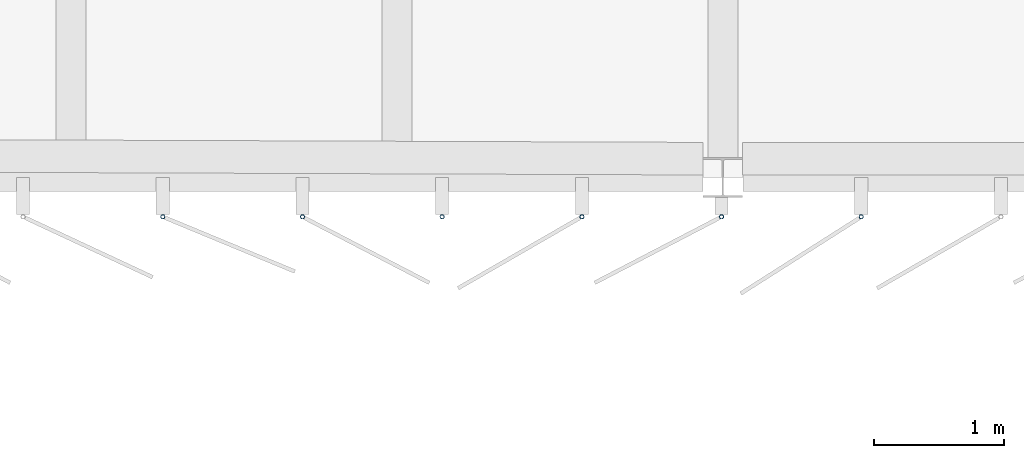
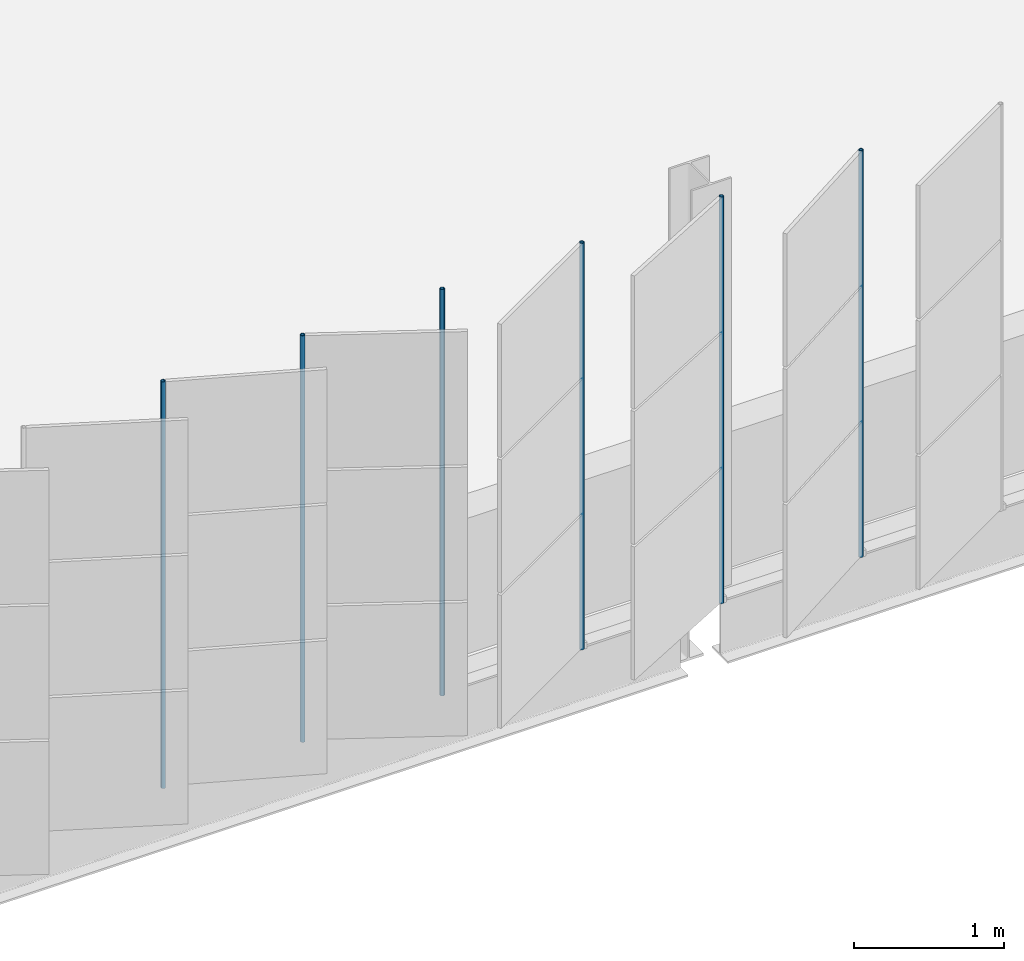
# One storey, part 82 of 199: 6 discrete accessories.
"""IFC4 building model written with IfcOpenShell, lengths in metres."""

import ifcopenshell
import ifcopenshell.guid

model = None  # the IFC model being written
_history = None  # IfcOwnerHistory: only IFC2X3 demands one
_inside = {}  # id of a spatial element -> (the spatial element, [elements in it])
_under = {}  # id of a project, library or spatial element -> (it, [spatial elements below it])
_declared = {}  # id of a project -> (the project, [libraries it declares])
_typed = {}  # id of a type object -> (the type object, [elements of that type])
_made_of = {}  # id of a material, layer set ... -> (it, [elements and type objects made of it])


def new_model(schema):
    """Start an empty IFC model of exactly this schema.

    Asked for "IFC4X3", IfcOpenShell would pick the latest addendum, in which some entities
    have other attributes; the version numbers below select the first issue.
    IFC2X3 requires an IfcOwnerHistory on every rooted entity: one is made here for all.
    """
    global model, _history
    if schema == "IFC4X3":
        model = ifcopenshell.file(schema_version=(4, 3, 0, 0))
    else:
        model = ifcopenshell.file(schema=schema)
    _inside.clear()
    _under.clear()
    _declared.clear()
    _typed.clear()
    _made_of.clear()
    _history = None
    if model.schema == "IFC2X3":
        org = make("IfcOrganization", Name="unknown")
        user = make(
            "IfcPersonAndOrganization",
            ThePerson=make("IfcPerson", FamilyName="unknown"),
            TheOrganization=org,
        )
        app = make(
            "IfcApplication",
            ApplicationDeveloper=org,
            Version="unknown",
            ApplicationFullName="unknown",
            ApplicationIdentifier="unknown",
        )
        _history = make(
            "IfcOwnerHistory",
            OwningUser=user,
            OwningApplication=app,
            ChangeAction="ADDED",
            CreationDate=0,
        )
    return model


def make(cls, **values):
    """One entity of the class cls with the attributes given. An attribute that is None is left unset."""
    return model.create_entity(
        cls, **{name: value for name, value in values.items() if value is not None}
    )


def rooted(cls, **values):
    """An entity with a GlobalId (a new one), such as an element, a storey or a relation."""
    return make(cls, GlobalId=ifcopenshell.guid.new(), OwnerHistory=_history, **values)


def si_unit(unit_type, name, prefix=None):
    """IfcSIUnit, for example si_unit("LENGTHUNIT", "METRE", prefix="MILLI")."""
    return make("IfcSIUnit", UnitType=unit_type, Prefix=prefix, Name=name)


def assignment(units):
    """IfcUnitAssignment: the units of a project."""
    return None if units is None else make("IfcUnitAssignment", Units=units)


def point(xyz):
    """IfcCartesianPoint."""
    return None if xyz is None else make("IfcCartesianPoint", Coordinates=xyz)


def direction(xyz):
    """IfcDirection."""
    return None if xyz is None else make("IfcDirection", DirectionRatios=xyz)


def frame(location, z_axis=None, x_axis=None):
    """IfcAxis2Placement3D, a coordinate frame: its origin and axes. An axis left out is left unset."""
    return make(
        "IfcAxis2Placement3D",
        Location=point(location),
        Axis=direction(z_axis),
        RefDirection=direction(x_axis),
    )


def frame_2d(location, x_axis=None):
    """IfcAxis2Placement2D, a coordinate frame in the plane: its origin and x axis."""
    return make(
        "IfcAxis2Placement2D", Location=point(location), RefDirection=direction(x_axis)
    )


def origin():
    """The frame at (0, 0, 0) with its axes left unset."""
    return frame((0.0, 0.0, 0.0))


def origin_2d():
    """The frame at (0, 0) in the plane with its x axis left unset."""
    return frame_2d((0.0, 0.0))


def place(relative_to, where):
    """IfcLocalPlacement: puts the frame where relative to a parent placement (None: the world)."""
    return make(
        "IfcLocalPlacement", PlacementRelTo=relative_to, RelativePlacement=where
    )


def context(
    kind, dimensions, precision=None, world=None, true_north=None, identifier=None
):
    """IfcGeometricRepresentationContext, for example the 3D "Model" context."""
    return make(
        "IfcGeometricRepresentationContext",
        ContextIdentifier=identifier,
        ContextType=kind,
        CoordinateSpaceDimension=dimensions,
        Precision=precision,
        WorldCoordinateSystem=world,
        TrueNorth=true_north,
    )


def subcontext(parent, identifier, kind, view, scale=None):
    """IfcGeometricRepresentationSubContext, for example "Body" below "Model"."""
    return make(
        "IfcGeometricRepresentationSubContext",
        ContextIdentifier=identifier,
        ContextType=kind,
        ParentContext=parent,
        TargetScale=scale,
        TargetView=view,
    )


def project(units=None, contexts=None):
    """IfcProject with its units and contexts."""
    return rooted(
        "IfcProject",
        Name="project",
        RepresentationContexts=contexts,
        UnitsInContext=assignment(units),
    )


def spatial(cls, under=None, at=None, **own):
    """A site, building, storey or space (cls), placed at a placement, below another one or the project."""
    s = rooted(cls, ObjectPlacement=at, **own)
    if under is not None:
        _under.setdefault(under.id(), (under, []))[1].append(s)
    return s


def profile(cls, at=None, kind="AREA", **sizes):
    """A parametric profile (cls). Its sizes go by their IFC names, for example OverallWidth=200.0."""
    return make(cls, ProfileType=kind, Position=at, **sizes)


def hollow_circle(**sizes):
    """IfcCircleHollowProfileDef."""
    return profile("IfcCircleHollowProfileDef", **sizes)


def extrude(swept, where, along, depth):
    """IfcExtrudedAreaSolid: the profile swept, set in the frame where, extruded along a direction by depth."""
    return make(
        "IfcExtrudedAreaSolid",
        SweptArea=swept,
        Position=where,
        ExtrudedDirection=direction(along),
        Depth=depth,
    )


def shape(context_of_items, identifier, shape_type, items):
    """IfcShapeRepresentation: the items that make up one representation, for example the "Body"."""
    return make(
        "IfcShapeRepresentation",
        ContextOfItems=context_of_items,
        RepresentationIdentifier=identifier,
        RepresentationType=shape_type,
        Items=items,
    )


def material(Name=None, Category=None):
    """IfcMaterial."""
    return make("IfcMaterial", Name=Name, Category=Category)


def material_profile(
    of_material, cross_section, Name=None, Category=None, Priority=None
):
    """IfcMaterialProfile: a cross section and its material."""
    return make(
        "IfcMaterialProfile",
        Name=Name,
        Material=of_material,
        Profile=cross_section,
        Priority=Priority,
        Category=Category,
    )


def profile_set(profiles, Name=None, composite=None):
    """IfcMaterialProfileSet."""
    return make(
        "IfcMaterialProfileSet",
        Name=Name,
        MaterialProfiles=profiles,
        CompositeProfile=composite,
    )


def made_of(thing, what):
    """Note that an element or type object is made of a material, layer set ...; save() writes the relation."""
    if what is not None:
        _made_of.setdefault(what.id(), (what, []))[1].append(thing)
    return thing


def type_object(cls, material=None, **own):
    """A type object (cls), such as IfcWallType, which elements share."""
    return made_of(rooted(cls, **own), material)


def element(
    cls,
    number,
    at=None,
    inside=None,
    cuts=None,
    type_object=None,
    material=None,
    context=None,
    identifier="Body",
    shape_type=None,
    held_by="IfcProductDefinitionShape",
    body=None,
    shapes=None,
    **own,
):
    """One element of the class cls, such as IfcWall. Its Tag is "e" and its number.

    at: its placement. inside: the storey or other place that contains it. cuts: it is an
    opening in that element (IfcRelVoidsElement). A single representation is given by context,
    identifier, shape_type and body (its items); several are given by shapes. held_by: the class
    of the entity that holds the representations. save() writes the other relations.
    """
    e = rooted(cls, Tag="e%d" % number, ObjectPlacement=at, **own)
    if body is not None:
        shapes = [shape(context, identifier, shape_type, body)]
    if shapes is not None:
        e.Representation = make(held_by, Representations=shapes)
    if inside is not None:
        _inside.setdefault(inside.id(), (inside, []))[1].append(e)
    if cuts is not None:
        rooted(
            "IfcRelVoidsElement", RelatingBuildingElement=cuts, RelatedOpeningElement=e
        )
    if type_object is not None:
        _typed.setdefault(type_object.id(), (type_object, []))[1].append(e)
    return made_of(e, material)


def aggregate(whole, parts):
    """IfcRelAggregates: a whole, such as a stair, and the parts it consists of."""
    return rooted("IfcRelAggregates", RelatingObject=whole, RelatedObjects=parts)


def save(model, path):
    """Write the relations noted so far, then the file.

    IfcRelAggregates (storeys below a building ...), IfcRelContainedInSpatialStructure (elements
    in a storey), IfcRelDefinesByType, IfcRelAssociatesMaterial and IfcRelDeclares: one each for
    every whole, place, type object, material and project.
    """
    for whole, parts in _under.values():
        aggregate(whole, parts)
    for where, things in _inside.values():
        rooted(
            "IfcRelContainedInSpatialStructure",
            RelatedElements=things,
            RelatingStructure=where,
        )
    for kind, things in _typed.values():
        rooted("IfcRelDefinesByType", RelatedObjects=things, RelatingType=kind)
    for what, things in _made_of.values():
        rooted("IfcRelAssociatesMaterial", RelatedObjects=things, RelatingMaterial=what)
    for by, libraries in _declared.values():
        rooted("IfcRelDeclares", RelatingContext=by, RelatedDefinitions=libraries)
    model.write(path)


model = new_model("IFC4")

# Units and contexts
model_context = context("Model", 3, precision=1e-05, world=origin(), true_north=direction((0.0, 1.0)))
body_context = subcontext(model_context, "Body", "Model", "MODEL_VIEW")
ifc_project = project(units=[si_unit("LENGTHUNIT", "METRE"), si_unit("AREAUNIT", "SQUARE_METRE"), si_unit("VOLUMEUNIT", "CUBIC_METRE"), si_unit("PLANEANGLEUNIT", "RADIAN"), si_unit("MASSUNIT", "GRAM", prefix="KILO")], contexts=[model_context])

# Site, building, storey
site_placement = place(None, origin())
site = spatial("IfcSite", under=ifc_project, at=site_placement, CompositionType="ELEMENT")
building_placement = place(site_placement, origin())
building = spatial("IfcBuilding", under=site, at=building_placement, Name="Parallax Yard Mobility Hub", CompositionType="ELEMENT")
storey_placement = place(building_placement, frame((0.0, 0.0, 9.89990234375)))
storey = spatial("IfcBuildingStorey", under=building, at=storey_placement, Name="L03", CompositionType="ELEMENT", Elevation=9.89990234375)

# Discrete accessories
ifc_material = material(Name="Steel ASTM A500 Gr C, hot-dip galvanised", Category="steel")
ifc_material_profile = material_profile(ifc_material, hollow_circle(Radius=0.016845703125, WallThickness=0.003173828125, at=origin_2d()), Name="CHS 33.7x3.2")
ifc_profile_set = profile_set([ifc_material_profile], Name="Steel ASTM A500 Gr C, hot-dip galvanised")
discrete_accessory_type = type_object("IfcDiscreteAccessoryType", Name="Hinge post CHS 33.7x3.2", PredefinedType="BRACKET", material=ifc_profile_set)
for number, where, z_axis, x_axis, name in (
    (1, (93.203857421875, 112.199951171875, 0.0), (0.0, 0.0, 1.0), (1.0, 0.0, 0.0), "Hinge post bay 8.4 level L03"),
    (2, (94.275390625, 112.199951171875, 0.0), (0.0, 0.0, 1.0), (1.0, 0.0, 0.0), "Hinge post bay 8.5 level L03"),
    (3, (95.346923828125, 112.199951171875, 0.0), (0.0, 0.0, 1.0), (1.0, 0.0, 0.0), "Hinge post bay 8.6 level L03"),
    (4, (96.41845703125, 112.199951171875, 0.0), (0.0, 0.0, 1.0), (1.0, 0.0, 0.0), "Hinge post bay 8.7 level L03"),
    (5, (97.489990234375, 112.199951171875, 0.0), (0.0, 0.0, 1.0), (1.0, 0.0, 0.0), "Hinge post bay 9.1 level L03"),
    (6, (98.561279296875, 112.199951171875, 0.0), (0.0, 0.0, 1.0), (1.0, 0.0, 0.0), "Hinge post bay 9.2 level L03"),
):
    element("IfcDiscreteAccessory", number, at=place(storey_placement, frame(where, z_axis=z_axis, x_axis=x_axis)), inside=storey, type_object=discrete_accessory_type, Name=name, PredefinedType="BRACKET", context=body_context, shape_type="SweptSolid", body=[
        extrude(hollow_circle(Radius=0.016845703125, WallThickness=0.003173828125, at=origin_2d()), origin(), (0.0, 0.0, 1.0), 3.300048828125),
    ])

save(model, "model.ifc")
